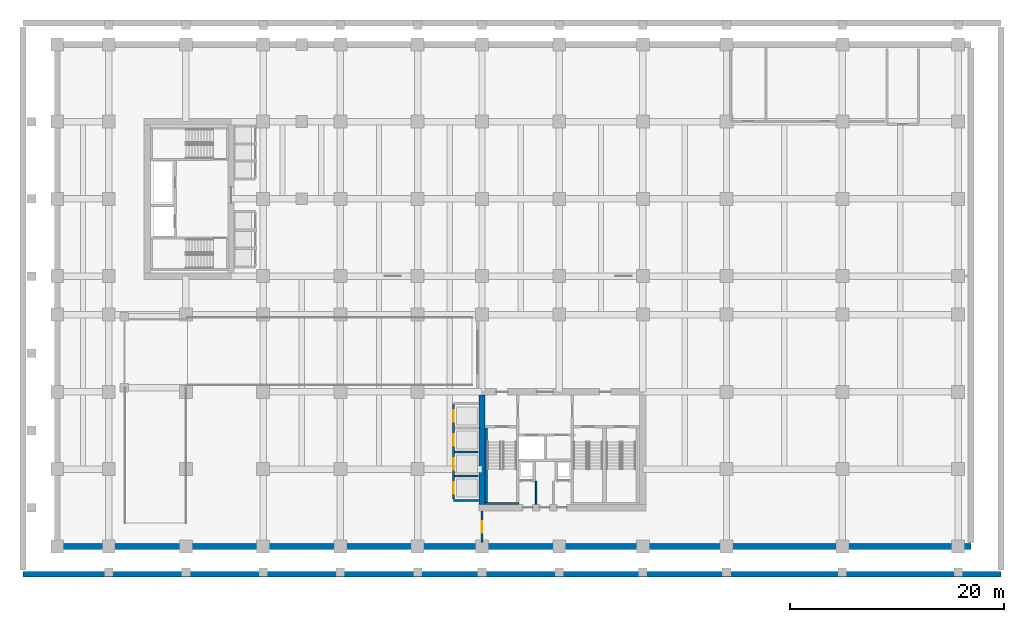
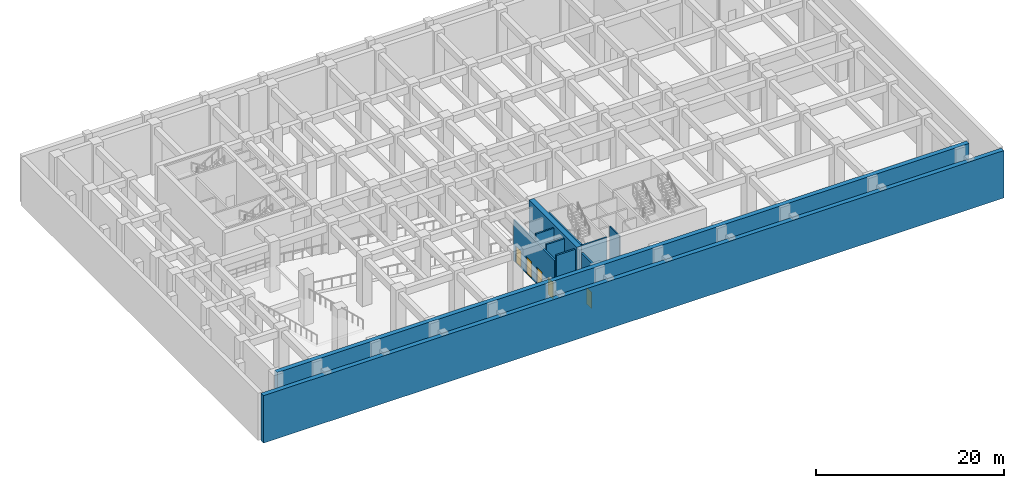
# One storey, part 4 of 13: 11 walls, 5 doors, 5 openings.
"""IFC4 building model written with IfcOpenShell, lengths in metres."""

import ifcopenshell
import ifcopenshell.guid

model = None  # the IFC model being written
_history = None  # IfcOwnerHistory: only IFC2X3 demands one
_inside = {}  # id of a spatial element -> (the spatial element, [elements in it])
_under = {}  # id of a project, library or spatial element -> (it, [spatial elements below it])
_declared = {}  # id of a project -> (the project, [libraries it declares])
_typed = {}  # id of a type object -> (the type object, [elements of that type])
_made_of = {}  # id of a material, layer set ... -> (it, [elements and type objects made of it])


def new_model(schema):
    """Start an empty IFC model of exactly this schema.

    Asked for "IFC4X3", IfcOpenShell would pick the latest addendum, in which some entities
    have other attributes; the version numbers below select the first issue.
    IFC2X3 requires an IfcOwnerHistory on every rooted entity: one is made here for all.
    """
    global model, _history
    if schema == "IFC4X3":
        model = ifcopenshell.file(schema_version=(4, 3, 0, 0))
    else:
        model = ifcopenshell.file(schema=schema)
    _inside.clear()
    _under.clear()
    _declared.clear()
    _typed.clear()
    _made_of.clear()
    _history = None
    if model.schema == "IFC2X3":
        org = make("IfcOrganization", Name="unknown")
        user = make(
            "IfcPersonAndOrganization",
            ThePerson=make("IfcPerson", FamilyName="unknown"),
            TheOrganization=org,
        )
        app = make(
            "IfcApplication",
            ApplicationDeveloper=org,
            Version="unknown",
            ApplicationFullName="unknown",
            ApplicationIdentifier="unknown",
        )
        _history = make(
            "IfcOwnerHistory",
            OwningUser=user,
            OwningApplication=app,
            ChangeAction="ADDED",
            CreationDate=0,
        )
    return model


def make(cls, **values):
    """One entity of the class cls with the attributes given. An attribute that is None is left unset."""
    return model.create_entity(
        cls, **{name: value for name, value in values.items() if value is not None}
    )


def rooted(cls, **values):
    """An entity with a GlobalId (a new one), such as an element, a storey or a relation."""
    return make(cls, GlobalId=ifcopenshell.guid.new(), OwnerHistory=_history, **values)


def si_unit(unit_type, name, prefix=None):
    """IfcSIUnit, for example si_unit("LENGTHUNIT", "METRE", prefix="MILLI")."""
    return make("IfcSIUnit", UnitType=unit_type, Prefix=prefix, Name=name)


def derived_unit(unit_type, elements):
    """IfcDerivedUnit: a product of units, each with its exponent."""
    return make(
        "IfcDerivedUnit",
        Elements=[
            make("IfcDerivedUnitElement", Unit=unit, Exponent=power)
            for unit, power in elements
        ],
        UnitType=unit_type,
    )


def assignment(units):
    """IfcUnitAssignment: the units of a project."""
    return None if units is None else make("IfcUnitAssignment", Units=units)


def point(xyz):
    """IfcCartesianPoint."""
    return None if xyz is None else make("IfcCartesianPoint", Coordinates=xyz)


def direction(xyz):
    """IfcDirection."""
    return None if xyz is None else make("IfcDirection", DirectionRatios=xyz)


def frame(location, z_axis=None, x_axis=None):
    """IfcAxis2Placement3D, a coordinate frame: its origin and axes. An axis left out is left unset."""
    return make(
        "IfcAxis2Placement3D",
        Location=point(location),
        Axis=direction(z_axis),
        RefDirection=direction(x_axis),
    )


def frame_2d(location, x_axis=None):
    """IfcAxis2Placement2D, a coordinate frame in the plane: its origin and x axis."""
    return make(
        "IfcAxis2Placement2D", Location=point(location), RefDirection=direction(x_axis)
    )


def origin():
    """The frame at (0, 0, 0) with its axes left unset."""
    return frame((0.0, 0.0, 0.0))


def place(relative_to, where):
    """IfcLocalPlacement: puts the frame where relative to a parent placement (None: the world)."""
    return make(
        "IfcLocalPlacement", PlacementRelTo=relative_to, RelativePlacement=where
    )


def context(
    kind, dimensions, precision=None, world=None, true_north=None, identifier=None
):
    """IfcGeometricRepresentationContext, for example the 3D "Model" context."""
    return make(
        "IfcGeometricRepresentationContext",
        ContextIdentifier=identifier,
        ContextType=kind,
        CoordinateSpaceDimension=dimensions,
        Precision=precision,
        WorldCoordinateSystem=world,
        TrueNorth=true_north,
    )


def subcontext(parent, identifier, kind, view, scale=None):
    """IfcGeometricRepresentationSubContext, for example "Body" below "Model"."""
    return make(
        "IfcGeometricRepresentationSubContext",
        ContextIdentifier=identifier,
        ContextType=kind,
        ParentContext=parent,
        TargetScale=scale,
        TargetView=view,
    )


def project(units=None, contexts=None):
    """IfcProject with its units and contexts."""
    return rooted(
        "IfcProject",
        Name="project",
        RepresentationContexts=contexts,
        UnitsInContext=assignment(units),
    )


def spatial(cls, under=None, at=None, **own):
    """A site, building, storey or space (cls), placed at a placement, below another one or the project."""
    s = rooted(cls, ObjectPlacement=at, **own)
    if under is not None:
        _under.setdefault(under.id(), (under, []))[1].append(s)
    return s


def profile(cls, at=None, kind="AREA", **sizes):
    """A parametric profile (cls). Its sizes go by their IFC names, for example OverallWidth=200.0."""
    return make(cls, ProfileType=kind, Position=at, **sizes)


def rectangle(**sizes):
    """IfcRectangleProfileDef."""
    return profile("IfcRectangleProfileDef", **sizes)


def extrude(swept, where, along, depth):
    """IfcExtrudedAreaSolid: the profile swept, set in the frame where, extruded along a direction by depth."""
    return make(
        "IfcExtrudedAreaSolid",
        SweptArea=swept,
        Position=where,
        ExtrudedDirection=direction(along),
        Depth=depth,
    )


def shape(context_of_items, identifier, shape_type, items):
    """IfcShapeRepresentation: the items that make up one representation, for example the "Body"."""
    return make(
        "IfcShapeRepresentation",
        ContextOfItems=context_of_items,
        RepresentationIdentifier=identifier,
        RepresentationType=shape_type,
        Items=items,
    )


def source(mapping_origin, context_of_items, identifier, shape_type, items):
    """IfcRepresentationMap: a shape defined once, which mapped items show again and again."""
    return make(
        "IfcRepresentationMap",
        MappingOrigin=mapping_origin,
        MappedRepresentation=shape(context_of_items, identifier, shape_type, items),
    )


def transform(
    local_origin,
    x_axis=None,
    y_axis=None,
    z_axis=None,
    scale=None,
    scale2=None,
    scale3=None,
    uniform=True,
):
    """IfcCartesianTransformationOperator3D, or its non-uniform kind. x_axis, y_axis, z_axis: its Axis1, 2, 3."""
    if uniform:
        return make(
            "IfcCartesianTransformationOperator3D",
            Axis1=direction(x_axis),
            Axis2=direction(y_axis),
            LocalOrigin=point(local_origin),
            Scale=scale,
            Axis3=direction(z_axis),
        )
    return make(
        "IfcCartesianTransformationOperator3DnonUniform",
        Axis1=direction(x_axis),
        Axis2=direction(y_axis),
        LocalOrigin=point(local_origin),
        Scale=scale,
        Axis3=direction(z_axis),
        Scale2=scale2,
        Scale3=scale3,
    )


def mapped(mapping_source, mapping_target):
    """IfcMappedItem: shows the shape of a source again, moved by a transform."""
    return make(
        "IfcMappedItem", MappingSource=mapping_source, MappingTarget=mapping_target
    )


def material(Name=None, Category=None):
    """IfcMaterial."""
    return make("IfcMaterial", Name=Name, Category=Category)


def layer(
    of_material, thickness, ventilated=None, Name=None, Category=None, Priority=None
):
    """IfcMaterialLayer: one layer of a wall or slab, of a material (None: an air gap)."""
    return make(
        "IfcMaterialLayer",
        Material=of_material,
        LayerThickness=thickness,
        IsVentilated=ventilated,
        Name=Name,
        Category=Category,
        Priority=Priority,
    )


def layer_set(layers, Name=None):
    """IfcMaterialLayerSet."""
    return make("IfcMaterialLayerSet", MaterialLayers=layers, LayerSetName=Name)


def made_of(thing, what):
    """Note that an element or type object is made of a material, layer set ...; save() writes the relation."""
    if what is not None:
        _made_of.setdefault(what.id(), (what, []))[1].append(thing)
    return thing


def type_object(cls, material=None, **own):
    """A type object (cls), such as IfcWallType, which elements share."""
    return made_of(rooted(cls, **own), material)


def type_shapes(of_type, sources):
    """Give a type object the sources (RepresentationMaps) that its elements show as mapped items."""
    of_type.RepresentationMaps = sources


def element(
    cls,
    number,
    at=None,
    inside=None,
    cuts=None,
    type_object=None,
    material=None,
    context=None,
    identifier="Body",
    shape_type=None,
    held_by="IfcProductDefinitionShape",
    body=None,
    shapes=None,
    **own,
):
    """One element of the class cls, such as IfcWall. Its Tag is "e" and its number.

    at: its placement. inside: the storey or other place that contains it. cuts: it is an
    opening in that element (IfcRelVoidsElement). A single representation is given by context,
    identifier, shape_type and body (its items); several are given by shapes. held_by: the class
    of the entity that holds the representations. save() writes the other relations.
    """
    e = rooted(cls, Tag="e%d" % number, ObjectPlacement=at, **own)
    if body is not None:
        shapes = [shape(context, identifier, shape_type, body)]
    if shapes is not None:
        e.Representation = make(held_by, Representations=shapes)
    if inside is not None:
        _inside.setdefault(inside.id(), (inside, []))[1].append(e)
    if cuts is not None:
        rooted(
            "IfcRelVoidsElement", RelatingBuildingElement=cuts, RelatedOpeningElement=e
        )
    if type_object is not None:
        _typed.setdefault(type_object.id(), (type_object, []))[1].append(e)
    return made_of(e, material)


def fill(opening, filler):
    """IfcRelFillsElement: the door or window that sits in an opening."""
    return rooted(
        "IfcRelFillsElement",
        RelatingOpeningElement=opening,
        RelatedBuildingElement=filler,
    )


def aggregate(whole, parts):
    """IfcRelAggregates: a whole, such as a stair, and the parts it consists of."""
    return rooted("IfcRelAggregates", RelatingObject=whole, RelatedObjects=parts)


def save(model, path):
    """Write the relations noted so far, then the file.

    IfcRelAggregates (storeys below a building ...), IfcRelContainedInSpatialStructure (elements
    in a storey), IfcRelDefinesByType, IfcRelAssociatesMaterial and IfcRelDeclares: one each for
    every whole, place, type object, material and project.
    """
    for whole, parts in _under.values():
        aggregate(whole, parts)
    for where, things in _inside.values():
        rooted(
            "IfcRelContainedInSpatialStructure",
            RelatedElements=things,
            RelatingStructure=where,
        )
    for kind, things in _typed.values():
        rooted("IfcRelDefinesByType", RelatedObjects=things, RelatingType=kind)
    for what, things in _made_of.values():
        rooted("IfcRelAssociatesMaterial", RelatedObjects=things, RelatingMaterial=what)
    for by, libraries in _declared.values():
        rooted("IfcRelDeclares", RelatingContext=by, RelatedDefinitions=libraries)
    model.write(path)


model = new_model("IFC4")

# Units and contexts
model_context = context("Model", 3, precision=1e-05, world=origin(), true_north=direction((0.0, 1.0)))
body_context = subcontext(model_context, "Body", "Model", "MODEL_VIEW")
ifc_project = project(units=[si_unit("LENGTHUNIT", "METRE"), si_unit("AREAUNIT", "SQUARE_METRE"), si_unit("VOLUMEUNIT", "CUBIC_METRE"), si_unit("PLANEANGLEUNIT", "RADIAN"), si_unit("MASSUNIT", "GRAM", prefix="KILO"), si_unit("THERMODYNAMICTEMPERATUREUNIT", "KELVIN"), si_unit("POWERUNIT", "WATT"), derived_unit("THERMALTRANSMITTANCEUNIT", [(si_unit("POWERUNIT", "WATT"), 1), (si_unit("AREAUNIT", "SQUARE_METRE"), -1), (si_unit("THERMODYNAMICTEMPERATUREUNIT", "KELVIN"), -1)])], contexts=[model_context])

# Site, building, storey
site_placement = place(None, origin())
site = spatial("IfcSite", under=ifc_project, at=site_placement, CompositionType="ELEMENT")
building_placement = place(site_placement, origin())
building = spatial("IfcBuilding", under=site, at=building_placement, Name="Zahravan Archway Hotel and Residences", CompositionType="ELEMENT")
storey_placement = place(building_placement, frame((0.0, 0.0, -6.5)))
storey = spatial("IfcBuildingStorey", under=building, at=storey_placement, Name="B01", CompositionType="ELEMENT", Elevation=-6.5)

# Walls
ifc_material_1 = material(Name="Concrete C50/60", Category="concrete")
ifc_layer_1 = layer(ifc_material_1, 0.550048828125, Name="Concrete C50/60", Category="concrete")
ifc_layer_set_1 = layer_set([ifc_layer_1], Name="Concrete C50/60")
wall_type_1 = type_object("IfcWallType", Name="BW-RET-550", PredefinedType="USERDEFINED", material=ifc_layer_set_1)
wall_1_placement = place(storey_placement, frame((-4.800048828125, 0.0, 0.0), z_axis=(0.0, 0.0, 1.0), x_axis=(1.0, 0.0, 0.0)))
element("IfcWall", 1, at=wall_1_placement, inside=storey, type_object=wall_type_1, Name="B01 Basement Retaining S Wall", ObjectType="RETAINING", PredefinedType="USERDEFINED", context=body_context, shape_type="SweptSolid", body=[
    extrude(rectangle(XDim=85.199951171875, YDim=0.550048828125, at=frame_2d((42.60009765625, 0.0))), origin(), (0.0, 0.0, 1.0), 6.5),
])
wall_2_placement = place(storey_placement, frame((-8.0, -2.60009765625, 0.0), z_axis=(0.0, 0.0, 1.0), x_axis=(1.0, 0.0, 0.0)))
element("IfcWall", 2, at=wall_2_placement, inside=storey, type_object=wall_type_1, Name="B01 Forecourt Foundation Wall PS", ObjectType="RETAINING", PredefinedType="USERDEFINED", context=body_context, shape_type="SweptSolid", body=[
    extrude(rectangle(XDim=91.199951171875, YDim=0.550048828125, at=frame_2d((45.60009765625, 0.0))), origin(), (0.0, 0.0, 1.0), 6.179931640625),
])
ifc_material_2 = material(Name="Concrete C70/85", Category="concrete")
ifc_layer_2 = layer(ifc_material_2, 0.60009765625, Name="Concrete C70/85", Category="concrete")
ifc_layer_set_2 = layer_set([ifc_layer_2], Name="Concrete C70/85")
wall_type_2 = type_object("IfcWallType", Name="CW-CORE-600", PredefinedType="SHEAR", material=ifc_layer_set_2)
wall_3_placement = place(storey_placement, frame((34.800048828125, 3.89990234375, 0.0), z_axis=(0.0, 0.0, 1.0), x_axis=(0.0, 1.0, 0.0)))
element("IfcWall", 3, at=wall_3_placement, inside=storey, type_object=wall_type_2, Name="B01 Core A Shear W Wall 600 mm", PredefinedType="SHEAR", context=body_context, shape_type="SweptSolid", body=[
    extrude(rectangle(XDim=10.2001953125, YDim=0.60009765625, at=frame_2d((5.10009765625, 0.0))), origin(), (0.0, 0.0, 1.0), 6.5),
])

# Wall, opening, door
ifc_material_3 = material(Name="Fire-Rated Gypsum & Concrete Block", Category="concrete")
ifc_layer_3 = layer(ifc_material_3, 0.219970703125, Name="Fire-Rated Gypsum & Concrete Block", Category="concrete")
ifc_layer_set_3 = layer_set([ifc_layer_3], Name="Fire-Rated Gypsum & Concrete Block")
wall_type_3 = type_object("IfcWallType", Name="PW-COMP-220", PredefinedType="PARTITIONING", material=ifc_layer_set_3)
wall_4_placement = place(storey_placement, frame((34.800048828125, 0.3701171875, 0.0), z_axis=(0.0, 0.0, 1.0), x_axis=(0.0, 1.0, 0.0)))
wall_4 = element("IfcWall", 4, at=wall_4_placement, inside=storey, type_object=wall_type_3, Name="B01 Partition B1-SPW", PredefinedType="PARTITIONING", context=body_context, shape_type="SweptSolid", body=[
    extrude(rectangle(XDim=2.909912109375, YDim=0.219970703125, at=frame_2d((1.455078125, 0.0))), origin(), (0.0, 0.0, 1.0), 6.10009765625),
])
opening_1_placement = place(wall_4_placement, frame((0.905029296875, 0.0, 0.0)))
opening_1 = element("IfcOpeningElement", 5, at=opening_1_placement, cuts=wall_4, Name="Opening FD-L2", PredefinedType="OPENING", context=body_context, shape_type="SweptSolid", body=[
    extrude(rectangle(XDim=1.050048828125, YDim=2.14990234375, at=frame_2d((0.52490234375, 1.074951171875))), frame((0.0, 0.1201171875, 0.0), z_axis=(0.0, -1.0, 0.0), x_axis=(1.0, 0.0, 0.0)), (0.0, 0.0, 1.0), 0.239990234375),
])
ifc_material_4 = material(Name="Fire-Rated Painted Steel", Category="steel")
door_type_1 = type_object("IfcDoorType", Name="FD-LOBBY-1100", OperationType="NOTDEFINED", PredefinedType="DOOR", material=ifc_material_4)
shared_shape_1 = source(origin(), body_context, "Body", "SweptSolid", [
    extrude(rectangle(XDim=1.050048828125, YDim=2.14990234375, at=frame_2d((0.52490234375, 1.074951171875))), frame((0.0, 0.02490234375, 0.0), z_axis=(0.0, -1.0, 0.0), x_axis=(1.0, 0.0, 0.0)), (0.0, 0.0, 1.0), 0.050048828125),
])
type_shapes(door_type_1, [shared_shape_1])
door_1_placement = place(opening_1_placement, origin())
door_1 = element("IfcDoor", 6, at=door_1_placement, inside=storey, type_object=door_type_1, Name="B01 South Riser Passage Door", OperationType="SINGLE_SWING_RIGHT", OverallHeight=2.14990234375, OverallWidth=1.050048828125, PredefinedType="DOOR", context=body_context, shape_type="MappedRepresentation", body=[
    mapped(shared_shape_1, transform((0.0, 0.0, 0.0), scale=1.0)),
])
fill(opening_1, door_1)

# Wall
ifc_layer_4 = layer(ifc_material_3, 0.199951171875, Name="Fire-Rated Gypsum & Concrete Block", Category="concrete")
ifc_layer_set_4 = layer_set([ifc_layer_4], Name="Fire-Rated Gypsum & Concrete Block")
wall_type_4 = type_object("IfcWallType", Name="PW-SHAFT-200", PredefinedType="PARTITIONING", material=ifc_layer_set_4)
wall_5_placement = place(storey_placement, frame((32.159912109375, 4.280029296875, 0.0), z_axis=(0.0, 0.0, 1.0), x_axis=(1.0, 0.0, 0.0)))
element("IfcWall", 7, at=wall_5_placement, inside=storey, type_object=wall_type_4, Name="B01 Partition B3-S", PredefinedType="PARTITIONING", context=body_context, shape_type="SweptSolid", body=[
    extrude(rectangle(XDim=2.31005859375, YDim=0.199951171875, at=frame_2d((1.155029296875, 0.0))), origin(), (0.0, 0.0, 1.0), 6.10009765625),
])

# Wall, openings, doors
wall_6_placement = place(storey_placement, frame((32.14990234375, 4.389892578125, 0.0), z_axis=(0.0, 0.0, 1.0), x_axis=(0.0, 1.0, 0.0)))
wall_6 = element("IfcWall", 8, at=wall_6_placement, inside=storey, type_object=wall_type_4, Name="B01 Partition B3-W", PredefinedType="PARTITIONING", context=body_context, shape_type="SweptSolid", body=[
    extrude(rectangle(XDim=8.820068359375, YDim=0.199951171875, at=frame_2d((4.41015625, 0.0))), origin(), (0.0, 0.0, 1.0), 5.3349609375),
])
opening_2_placement = place(wall_6_placement, frame((0.5, 0.0, 0.0)))
opening_2 = element("IfcOpeningElement", 9, at=opening_2_placement, cuts=wall_6, Name="Opening LD", PredefinedType="OPENING", context=body_context, shape_type="SweptSolid", body=[
    extrude(rectangle(XDim=1.10009765625, YDim=2.199951171875, at=frame_2d((0.550048828125, 1.10009765625))), frame((0.0, 0.10986328125, 0.0), z_axis=(0.0, -1.0, 0.0), x_axis=(1.0, 0.0, 0.0)), (0.0, 0.0, 1.0), 0.219970703125),
])
opening_3_placement = place(wall_6_placement, frame((2.739990234375, 0.0, 0.0)))
opening_3 = element("IfcOpeningElement", 10, at=opening_3_placement, cuts=wall_6, Name="Opening LD", PredefinedType="OPENING", context=body_context, shape_type="SweptSolid", body=[
    extrude(rectangle(XDim=1.10009765625, YDim=2.199951171875, at=frame_2d((0.550048828125, 1.10009765625))), frame((0.0, 0.10986328125, 0.0), z_axis=(0.0, -1.0, 0.0), x_axis=(1.0, 0.0, 0.0)), (0.0, 0.0, 1.0), 0.219970703125),
])
opening_4_placement = place(wall_6_placement, frame((4.97998046875, 0.0, 0.0)))
opening_4 = element("IfcOpeningElement", 11, at=opening_4_placement, cuts=wall_6, Name="Opening LD", PredefinedType="OPENING", context=body_context, shape_type="SweptSolid", body=[
    extrude(rectangle(XDim=1.10009765625, YDim=2.199951171875, at=frame_2d((0.550048828125, 1.10009765625))), frame((0.0, 0.10986328125, 0.0), z_axis=(0.0, -1.0, 0.0), x_axis=(1.0, 0.0, 0.0)), (0.0, 0.0, 1.0), 0.219970703125),
])
opening_5_placement = place(wall_6_placement, frame((7.219970703125, 0.0, 0.0)))
opening_5 = element("IfcOpeningElement", 12, at=opening_5_placement, cuts=wall_6, Name="Opening LD", PredefinedType="OPENING", context=body_context, shape_type="SweptSolid", body=[
    extrude(rectangle(XDim=1.10009765625, YDim=2.199951171875, at=frame_2d((0.550048828125, 1.10009765625))), frame((0.0, 0.10986328125, 0.0), z_axis=(0.0, -1.0, 0.0), x_axis=(1.0, 0.0, 0.0)), (0.0, 0.0, 1.0), 0.219970703125),
])
ifc_material_5 = material(Name="Brushed Stainless Steel", Category="steel")
door_type_2 = type_object("IfcDoorType", Name="DR-LIFT-LD", OperationType="SLIDING_TO_LEFT", PredefinedType="DOOR", material=ifc_material_5)
shared_shape_2 = source(origin(), body_context, "Body", "SweptSolid", [
    extrude(rectangle(XDim=1.10009765625, YDim=2.199951171875, at=frame_2d((0.550048828125, 1.10009765625))), frame((0.0, 0.02490234375, 0.0), z_axis=(0.0, -1.0, 0.0), x_axis=(1.0, 0.0, 0.0)), (0.0, 0.0, 1.0), 0.050048828125),
])
type_shapes(door_type_2, [shared_shape_2])
door_2_placement = place(opening_2_placement, origin())
door_2 = element("IfcDoor", 13, at=door_2_placement, inside=storey, type_object=door_type_2, Name="B01 Lift LP-7 Sliding Landing Door", OperationType="SLIDING_TO_LEFT", OverallHeight=2.199951171875, OverallWidth=1.10009765625, PredefinedType="DOOR", context=body_context, shape_type="MappedRepresentation", body=[
    mapped(shared_shape_2, transform((0.0, 0.0, 0.0), scale=1.0)),
])
fill(opening_2, door_2)
door_3_placement = place(opening_3_placement, origin())
door_3 = element("IfcDoor", 14, at=door_3_placement, inside=storey, type_object=door_type_2, Name="B01 Lift LP-8 Sliding Landing Door", OperationType="SLIDING_TO_LEFT", OverallHeight=2.199951171875, OverallWidth=1.10009765625, PredefinedType="DOOR", context=body_context, shape_type="MappedRepresentation", body=[
    mapped(shared_shape_2, transform((0.0, 0.0, 0.0), scale=1.0)),
])
fill(opening_3, door_3)
door_4_placement = place(opening_4_placement, origin())
door_4 = element("IfcDoor", 15, at=door_4_placement, inside=storey, type_object=door_type_2, Name="B01 Lift LP-9 Sliding Landing Door", OperationType="SLIDING_TO_LEFT", OverallHeight=2.199951171875, OverallWidth=1.10009765625, PredefinedType="DOOR", context=body_context, shape_type="MappedRepresentation", body=[
    mapped(shared_shape_2, transform((0.0, 0.0, 0.0), scale=1.0)),
])
fill(opening_4, door_4)
door_5_placement = place(opening_5_placement, origin())
door_5 = element("IfcDoor", 16, at=door_5_placement, inside=storey, type_object=door_type_2, Name="B01 Lift LP-10 Sliding Landing Door", OperationType="SLIDING_TO_LEFT", OverallHeight=2.199951171875, OverallWidth=1.10009765625, PredefinedType="DOOR", context=body_context, shape_type="MappedRepresentation", body=[
    mapped(shared_shape_2, transform((0.0, 0.0, 0.0), scale=1.0)),
])
fill(opening_5, door_5)

# Walls
for number, where, z_axis, x_axis, name in (
    (17, (32.260009765625, 6.56005859375, 0.0), (0.0, 0.0, 1.0), (1.0, 0.0, 0.0), "B01 Partition B3-D"),
    (18, (32.260009765625, 8.800048828125, 0.0), (0.0, 0.0, 1.0), (1.0, 0.0, 0.0), "B01 Partition B3-D"),
):
    element("IfcWall", number, at=place(storey_placement, frame(where, z_axis=z_axis, x_axis=x_axis)), inside=storey, type_object=wall_type_4, Name=name, PredefinedType="PARTITIONING", context=body_context, shape_type="SweptSolid", body=[
        extrude(rectangle(XDim=2.179931640625, YDim=0.199951171875, at=frame_2d((1.08984375, 0.0))), origin(), (0.0, 0.0, 1.0), 6.10009765625),
    ])
ifc_material_6 = material(Name="Moisture-Resistant Blockwork", Category="masonry")
ifc_layer_5 = layer(ifc_material_6, 0.139892578125, Name="Moisture-Resistant Blockwork", Category="masonry")
ifc_layer_set_5 = layer_set([ifc_layer_5], Name="Moisture-Resistant Blockwork")
wall_type_5 = type_object("IfcWallType", Name="PW-WET-140", PredefinedType="PARTITIONING", material=ifc_layer_set_5)
wall_7_placement = place(storey_placement, frame((39.85009765625, 3.919921875, 0.0), z_axis=(0.0, 0.0, 1.0), x_axis=(0.0, 1.0, 0.0)))
element("IfcWall", 19, at=wall_7_placement, inside=storey, type_object=wall_type_5, Name="B01 Partition CA-CV1A", PredefinedType="PARTITIONING", context=body_context, shape_type="SweptSolid", body=[
    extrude(rectangle(XDim=2.16015625, YDim=0.139892578125, at=frame_2d((1.080078125, 0.0))), origin(), (0.0, 0.0, 1.0), 6.10009765625),
])
ifc_layer_6 = layer(ifc_material_1, 0.199951171875, Name="Concrete C50/60", Category="concrete")
ifc_layer_set_6 = layer_set([ifc_layer_6], Name="Concrete C50/60")
wall_type_6 = type_object("IfcWallType", Name="SW-STAIR-200", PredefinedType="SHEAR", material=ifc_layer_set_6)
wall_8_placement = place(storey_placement, frame((35.10009765625, 4.0, 0.0), z_axis=(0.0, 0.0, 1.0), x_axis=(1.0, 0.0, 0.0)))
element("IfcWall", 20, at=wall_8_placement, inside=storey, type_object=wall_type_6, Name="B01 Stairwell RC Wall CA-SA1S", PredefinedType="SHEAR", context=body_context, shape_type="SweptSolid", body=[
    extrude(rectangle(XDim=3.139892578125, YDim=0.199951171875, at=frame_2d((1.56982421875, 0.0))), origin(), (0.0, 0.0, 1.0), 6.5),
])
wall_9_placement = place(storey_placement, frame((35.199951171875, 4.10009765625, 0.0), z_axis=(0.0, 0.0, 1.0), x_axis=(0.0, 1.0, 0.0)))
element("IfcWall", 21, at=wall_9_placement, inside=storey, type_object=wall_type_6, Name="B01 Stairwell RC Wall CA-SA1W", PredefinedType="SHEAR", context=body_context, shape_type="SweptSolid", body=[
    extrude(rectangle(XDim=6.949951171875, YDim=0.199951171875, at=frame_2d((3.47509765625, 0.0))), origin(), (0.0, 0.0, 1.0), 6.5),
])

save(model, "model.ifc")
